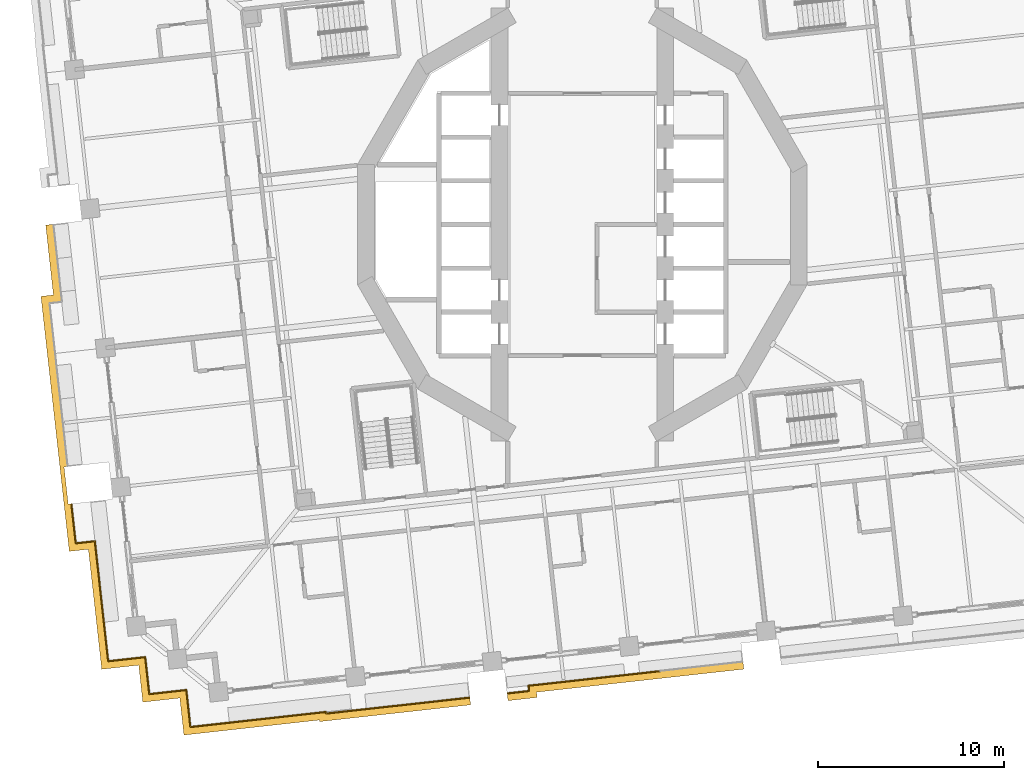
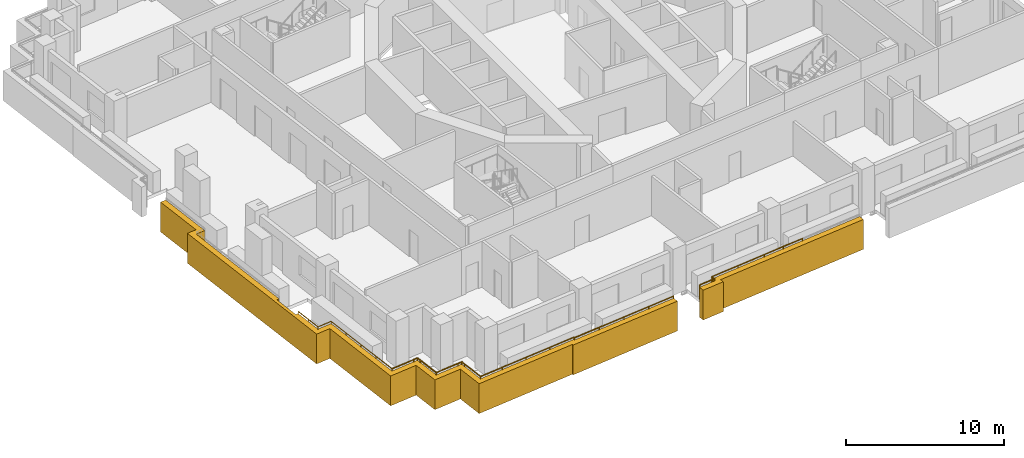
# One storey, part 12 of 19: 3 railings, 2 coverings.
"""IFC4 building model written with IfcOpenShell, lengths in metres."""

from ifc_helpers import new_model, si_unit, direction, frame, origin, origin_2d, place, context, subcontext, project, spatial, polyline, circle, outline, extrude, material, type_object, element, save


model = new_model("IFC4")

# Units and contexts
model_context = context("Model", 3, precision=1e-05, world=origin(), true_north=direction((0.0, 1.0)))
body_context = subcontext(model_context, "Body", "Model", "MODEL_VIEW")
ifc_project = project(units=[si_unit("LENGTHUNIT", "METRE"), si_unit("AREAUNIT", "SQUARE_METRE"), si_unit("VOLUMEUNIT", "CUBIC_METRE"), si_unit("PLANEANGLEUNIT", "RADIAN"), si_unit("MASSUNIT", "GRAM", prefix="KILO")], contexts=[model_context])

# Site, building, storey
site_placement = place(None, origin())
site = spatial("IfcSite", under=ifc_project, at=site_placement, CompositionType="ELEMENT")
building_placement = place(site_placement, origin())
building = spatial("IfcBuilding", under=site, at=building_placement, Name="Cantera Rosa Tower", CompositionType="ELEMENT")
storey_placement = place(building_placement, frame((0.0, 0.0, 65.300048828125)))
storey = spatial("IfcBuildingStorey", under=building, at=storey_placement, Name="L13", CompositionType="ELEMENT", Elevation=65.300048828125)

# Railings
ifc_material_1 = material(Name="Stainless steel and laminated glass", Category="steel")
railing_type = type_object("IfcRailingType", Name="GUARD 1100", PredefinedType="BALUSTRADE", material=ifc_material_1)
railing_1_placement = place(storey_placement, frame((-25.46826171875, -23.45263671875, 0.0)))
element("IfcRailing", 1, at=railing_1_placement, inside=storey, type_object=railing_type, Name="GUARD L13-1", PredefinedType="BALUSTRADE", context=body_context, shape_type="SweptSolid", body=[
    extrude(circle(Radius=0.030029296875, at=origin_2d()), frame((0.0, 0.0, 1.070068359375), z_axis=(-0.110289669906, 0.993899486222, 0.0), x_axis=(-0.993899486222, -0.110289669906, 0.0)), (0.0, 0.0, 1.0), 1.699951171875),
    extrude(circle(Radius=0.030029296875, at=origin_2d()), frame((-0.1875, 1.689697265625, 1.070068359375), z_axis=(-0.110308384039, 0.993897409399, 0.0), x_axis=(-0.993897409399, -0.110308384039, 0.0)), (0.0, 0.0, 1.0), 4.787353515625),
    extrude(circle(Radius=0.030029296875, at=origin_2d()), frame((-0.715576171875, 6.44775390625, 1.070068359375), z_axis=(-0.993889498172, -0.110379642247, 0.0), x_axis=(0.110379642247, -0.993889498172, 0.0)), (0.0, 0.0, 1.0), 1.032958984375),
    extrude(circle(Radius=0.030029296875, at=origin_2d()), frame((-1.7421875, 6.333740234375, 1.070068359375), z_axis=(-0.110304087838, 0.993897886207, 0.0), x_axis=(-0.993897886207, -0.110304087838, 0.0)), (0.0, 0.0, 1.0), 2.102783203125),
    extrude(circle(Radius=0.02490234375, at=origin_2d()), origin(), (0.0, 0.0, 1.0), 1.0400390625),
    extrude(circle(Radius=0.02490234375, at=origin_2d()), frame((-0.1875, 1.689697265625, 0.0)), (0.0, 0.0, 1.0), 1.0400390625),
    extrude(circle(Radius=0.02490234375, at=origin_2d()), frame((-0.363525390625, 3.275634765625, 0.0)), (0.0, 0.0, 1.0), 1.0400390625),
    extrude(circle(Radius=0.02490234375, at=origin_2d()), frame((-0.53955078125, 4.86181640625, 0.0)), (0.0, 0.0, 1.0), 1.0400390625),
    extrude(circle(Radius=0.02490234375, at=origin_2d()), frame((-0.715576171875, 6.44775390625, 0.0)), (0.0, 0.0, 1.0), 1.0400390625),
    extrude(circle(Radius=0.02490234375, at=origin_2d()), frame((-1.7421875, 6.333740234375, 0.0)), (0.0, 0.0, 1.0), 1.0400390625),
    extrude(circle(Radius=0.02490234375, at=origin_2d()), frame((-1.858154296875, 7.378662109375, 0.0)), (0.0, 0.0, 1.0), 1.0400390625),
    extrude(circle(Radius=0.02490234375, at=origin_2d()), frame((-1.97412109375, 8.423583984375, 0.0)), (0.0, 0.0, 1.0), 1.0400390625),
])
railing_2_placement = place(storey_placement, frame((-6.06396484375, -25.4091796875, 0.0)))
element("IfcRailing", 2, at=railing_2_placement, inside=storey, type_object=railing_type, Name="GUARD L13-2", PredefinedType="BALUSTRADE", context=body_context, shape_type="SweptSolid", body=[
    extrude(circle(Radius=0.030029296875, at=origin_2d()), frame((0.0, 0.0, 1.070068359375), z_axis=(-0.993897547531, -0.110307139445, 0.0), x_axis=(0.110307139445, -0.993897547531, 0.0)), (0.0, 0.0, 1.0), 7.75537109375),
    extrude(circle(Radius=0.030029296875, at=origin_2d()), frame((-7.7080078125, -0.85546875, 1.070068359375), z_axis=(-0.108859286546, 0.994057169248, 0.0), x_axis=(-0.994057169248, -0.108859286546, 0.0)), (0.0, 0.0, 1.0), 0.085205078125),
    extrude(circle(Radius=0.030029296875, at=origin_2d()), frame((-7.71728515625, -0.770751953125, 1.070068359375), z_axis=(-0.993896984026, -0.110312216663, 0.0), x_axis=(0.110312216663, -0.993896984026, 0.0)), (0.0, 0.0, 1.0), 5.61474609375),
    extrude(circle(Radius=0.030029296875, at=origin_2d()), frame((-13.2978515625, -1.39013671875, 1.070068359375), z_axis=(-0.993883734674, -0.110431526075, 0.0), x_axis=(0.110431526075, -0.993883734674, 0.0)), (0.0, 0.0, 1.0), 1.7001953125),
    extrude(circle(Radius=0.030029296875, at=origin_2d()), frame((-14.987548828125, -1.577880859375, 1.070068359375), z_axis=(-0.110289669906, 0.993899486222, 0.0), x_axis=(-0.993899486222, -0.110289669906, 0.0)), (0.0, 0.0, 1.0), 1.699951171875),
    extrude(circle(Radius=0.030029296875, at=origin_2d()), frame((-15.175048828125, 0.11181640625, 1.070068359375), z_axis=(-0.110699535641, 0.99385391925, 0.0), x_axis=(-0.99385391925, -0.110699535641, 0.0)), (0.0, 0.0, 1.0), 0.300048828125),
    extrude(circle(Radius=0.030029296875, at=origin_2d()), frame((-15.208251953125, 0.409912109375, 1.070068359375), z_axis=(-0.993943154022, -0.10989543472, 0.0), x_axis=(0.10989543472, -0.993943154022, 0.0)), (0.0, 0.0, 1.0), 0.2998046875),
    extrude(circle(Radius=0.030029296875, at=origin_2d()), frame((-15.50634765625, 0.376953125, 1.070068359375), z_axis=(-0.993899486222, -0.110289669906, 0.0), x_axis=(0.110289669906, -0.993899486222, 0.0)), (0.0, 0.0, 1.0), 1.699951171875),
    extrude(circle(Radius=0.030029296875, at=origin_2d()), frame((-17.196044921875, 0.189453125, 1.070068359375), z_axis=(-0.110305413813, 0.993897739047, 0.0), x_axis=(-0.993897739047, -0.110305413813, 0.0)), (0.0, 0.0, 1.0), 1.69970703125),
    extrude(circle(Radius=0.030029296875, at=origin_2d()), frame((-17.383544921875, 1.87890625, 1.070068359375), z_axis=(-0.1098065887, 0.993952973273, 0.0), x_axis=(-0.993952973273, -0.1098065887, 0.0)), (0.0, 0.0, 1.0), 0.300048828125),
    extrude(circle(Radius=0.030029296875, at=origin_2d()), frame((-17.41650390625, 2.17724609375, 1.070068359375), z_axis=(-0.993863881828, -0.110610055588, 0.0), x_axis=(0.110610055588, -0.993863881828, 0.0)), (0.0, 0.0, 1.0), 0.30029296875),
    extrude(circle(Radius=0.030029296875, at=origin_2d()), frame((-17.71484375, 2.14404296875, 1.070068359375), z_axis=(-0.993897739047, -0.110305413813, 0.0), x_axis=(0.110305413813, -0.993897739047, 0.0)), (0.0, 0.0, 1.0), 1.69970703125),
    extrude(circle(Radius=0.02490234375, at=origin_2d()), origin(), (0.0, 0.0, 1.0), 1.0400390625),
    extrude(circle(Radius=0.02490234375, at=origin_2d()), frame((-1.927001953125, -0.2138671875, 0.0)), (0.0, 0.0, 1.0), 1.0400390625),
    extrude(circle(Radius=0.02490234375, at=origin_2d()), frame((-3.85400390625, -0.427734375, 0.0)), (0.0, 0.0, 1.0), 1.0400390625),
    extrude(circle(Radius=0.02490234375, at=origin_2d()), frame((-5.781005859375, -0.6416015625, 0.0)), (0.0, 0.0, 1.0), 1.0400390625),
    extrude(circle(Radius=0.02490234375, at=origin_2d()), frame((-7.7080078125, -0.85546875, 0.0)), (0.0, 0.0, 1.0), 1.0400390625),
    extrude(circle(Radius=0.02490234375, at=origin_2d()), frame((-7.71728515625, -0.770751953125, 0.0)), (0.0, 0.0, 1.0), 1.0400390625),
    extrude(circle(Radius=0.02490234375, at=origin_2d()), frame((-9.577392578125, -0.977294921875, 0.0)), (0.0, 0.0, 1.0), 1.0400390625),
    extrude(circle(Radius=0.02490234375, at=origin_2d()), frame((-11.437744140625, -1.18359375, 0.0)), (0.0, 0.0, 1.0), 1.0400390625),
    extrude(circle(Radius=0.02490234375, at=origin_2d()), frame((-13.2978515625, -1.39013671875, 0.0)), (0.0, 0.0, 1.0), 1.0400390625),
    extrude(circle(Radius=0.02490234375, at=origin_2d()), frame((-14.987548828125, -1.577880859375, 0.0)), (0.0, 0.0, 1.0), 1.0400390625),
    extrude(circle(Radius=0.02490234375, at=origin_2d()), frame((-15.175048828125, 0.11181640625, 0.0)), (0.0, 0.0, 1.0), 1.0400390625),
    extrude(circle(Radius=0.02490234375, at=origin_2d()), frame((-15.208251953125, 0.409912109375, 0.0)), (0.0, 0.0, 1.0), 1.0400390625),
    extrude(circle(Radius=0.02490234375, at=origin_2d()), frame((-15.50634765625, 0.376953125, 0.0)), (0.0, 0.0, 1.0), 1.0400390625),
    extrude(circle(Radius=0.02490234375, at=origin_2d()), frame((-17.196044921875, 0.189453125, 0.0)), (0.0, 0.0, 1.0), 1.0400390625),
    extrude(circle(Radius=0.02490234375, at=origin_2d()), frame((-17.383544921875, 1.87890625, 0.0)), (0.0, 0.0, 1.0), 1.0400390625),
    extrude(circle(Radius=0.02490234375, at=origin_2d()), frame((-17.41650390625, 2.17724609375, 0.0)), (0.0, 0.0, 1.0), 1.0400390625),
    extrude(circle(Radius=0.02490234375, at=origin_2d()), frame((-17.71484375, 2.14404296875, 0.0)), (0.0, 0.0, 1.0), 1.0400390625),
    extrude(circle(Radius=0.02490234375, at=origin_2d()), frame((-19.404296875, 1.95654296875, 0.0)), (0.0, 0.0, 1.0), 1.0400390625),
])
railing_3_placement = place(storey_placement, frame((4.17138671875, -23.986328125, 0.0)))
element("IfcRailing", 3, at=railing_3_placement, inside=storey, type_object=railing_type, Name="GUARD L13-5", PredefinedType="BALUSTRADE", context=body_context, shape_type="SweptSolid", body=[
    extrude(circle(Radius=0.030029296875, at=origin_2d()), frame((0.0, 0.0, 1.070068359375), z_axis=(-0.993901585709, -0.110270748271, 0.0), x_axis=(0.110270748271, -0.993901585709, 0.0)), (0.0, 0.0, 1.0), 3.0),
    extrude(circle(Radius=0.030029296875, at=origin_2d()), frame((-2.981689453125, -0.330810546875, 1.070068359375), z_axis=(-0.993898197765, -0.110301280499, 0.0), x_axis=(0.110301280499, -0.993898197765, 0.0)), (0.0, 0.0, 1.0), 4.11474609375),
    extrude(circle(Radius=0.030029296875, at=origin_2d()), frame((-7.0712890625, -0.78466796875, 1.070068359375), z_axis=(0.110431526075, -0.993883734674, 0.0), x_axis=(0.993883734674, 0.110431526075, 0.0)), (0.0, 0.0, 1.0), 0.28515625),
    extrude(circle(Radius=0.030029296875, at=origin_2d()), frame((-7.039794921875, -1.068115234375, 1.070068359375), z_axis=(-0.993896614033, -0.110315550186, 0.0), x_axis=(0.110315550186, -0.993896614033, 0.0)), (0.0, 0.0, 1.0), 1.1552734375),
    extrude(circle(Radius=0.02490234375, at=origin_2d()), origin(), (0.0, 0.0, 1.0), 1.0400390625),
    extrude(circle(Radius=0.02490234375, at=origin_2d()), frame((-1.49072265625, -0.16552734375, 0.0)), (0.0, 0.0, 1.0), 1.0400390625),
    extrude(circle(Radius=0.02490234375, at=origin_2d()), frame((-2.981689453125, -0.330810546875, 0.0)), (0.0, 0.0, 1.0), 1.0400390625),
    extrude(circle(Radius=0.02490234375, at=origin_2d()), frame((-5.0263671875, -0.5576171875, 0.0)), (0.0, 0.0, 1.0), 1.0400390625),
    extrude(circle(Radius=0.02490234375, at=origin_2d()), frame((-7.0712890625, -0.78466796875, 0.0)), (0.0, 0.0, 1.0), 1.0400390625),
    extrude(circle(Radius=0.02490234375, at=origin_2d()), frame((-7.039794921875, -1.068115234375, 0.0)), (0.0, 0.0, 1.0), 1.0400390625),
    extrude(circle(Radius=0.02490234375, at=origin_2d()), frame((-8.18798828125, -1.195556640625, 0.0)), (0.0, 0.0, 1.0), 1.0400390625),
])

# Coverings
ifc_material_2 = material(Name="Cantera stone", Category="masonry")
covering_type = type_object("IfcCoveringType", Name="TRAY FASCIA 400", PredefinedType="CLADDING", material=ifc_material_2)
covering_1_placement = place(storey_placement, frame((0.0, 0.0, -1.400146484375)))
element("IfcCovering", 4, at=covering_1_placement, inside=storey, type_object=covering_type, Name="TRAY FASCIA L13-02", PredefinedType="CLADDING", context=body_context, shape_type="SweptSolid", body=[
    extrude(outline(polyline([(-14.125244140625, -26.706298828125), (-14.134765625, -26.621826171875), (-19.317626953125, -27.197021484375), (-21.405029296875, -27.4287109375), (-21.62548828125, -25.44091796875), (-23.61328125, -25.661376953125), (-23.833984375, -23.673583984375), (-25.82177734375, -23.894287109375), (-26.053466796875, -21.80712890625), (-26.537353515625, -17.446533203125), (-27.563720703125, -17.560546875), (-29.08447265625, -3.859130859375), (-28.415283203125, -3.784912109375), (-28.83203125, -0.03076171875), (-28.4345703125, 0.013427734375), (-27.9736328125, -4.138427734375), (-28.642822265625, -4.212646484375), (-27.66748046875, -13.00146484375), (-27.83349609375, -13.019775390625), (-27.83447265625, -13.02001953125), (-27.83544921875, -13.020263671875), (-27.83642578125, -13.0205078125), (-27.83740234375, -13.02099609375), (-27.838134765625, -13.021484375), (-27.8388671875, -13.022216796875), (-27.839599609375, -13.022705078125), (-27.84033203125, -13.0234375), (-27.8408203125, -13.0244140625), (-27.84130859375, -13.025146484375), (-27.841796875, -13.026123046875), (-27.842041015625, -13.027099609375), (-27.84228515625, -13.028076171875), (-27.842529296875, -13.029052734375), (-27.842529296875, -13.030029296875), (-27.842529296875, -13.031005859375), (-27.621826171875, -15.018798828125), (-27.62158203125, -15.019775390625), (-27.621337890625, -15.0205078125), (-27.62109375, -15.021484375), (-27.62060546875, -15.0224609375), (-27.6201171875, -15.023193359375), (-27.61962890625, -15.02392578125), (-27.618896484375, -15.024658203125), (-27.6181640625, -15.025390625), (-27.617431640625, -15.02587890625), (-27.616455078125, -15.0263671875), (-27.615478515625, -15.02685546875), (-27.61474609375, -15.027099609375), (-27.61376953125, -15.02734375), (-27.61279296875, -15.027587890625), (-27.61181640625, -15.027587890625), (-27.61083984375, -15.027587890625), (-27.444580078125, -15.009033203125), (-27.21044921875, -17.118896484375), (-26.183837890625, -17.0048828125), (-25.65576171875, -21.762939453125), (-25.46826171875, -23.45263671875), (-23.77880859375, -23.26513671875), (-23.48046875, -23.23193359375), (-23.447509765625, -23.5302734375), (-23.260009765625, -25.2197265625), (-21.5703125, -25.0322265625), (-21.272216796875, -24.999267578125), (-21.239013671875, -25.29736328125), (-21.051513671875, -26.987060546875), (-19.36181640625, -26.79931640625), (-13.78125, -26.179931640625), (-13.77197265625, -26.2646484375), (-6.044189453125, -25.406982421875), (-6.0, -25.804443359375), (-14.125244140625, -26.706298828125)])), origin(), (0.0, 0.0, 1.0), 2.300048828125),
])
covering_2_placement = place(storey_placement, frame((0.0, 0.0, -1.400146484375)))
element("IfcCovering", 5, at=covering_2_placement, inside=storey, type_object=covering_type, Name="TRAY FASCIA L13-04", PredefinedType="CLADDING", context=body_context, shape_type="SweptSolid", body=[
    extrude(outline(polyline([(8.588623046875, -23.8984375), (4.215576171875, -24.3837890625), (1.23388671875, -24.71484375), (-2.458251953125, -25.12451171875), (-2.4267578125, -25.407958984375), (-3.992431640625, -25.581787109375), (-4.03662109375, -25.18408203125), (-2.868408203125, -25.054443359375), (-2.89990234375, -24.77099609375), (1.189697265625, -24.317138671875), (4.17138671875, -23.986328125), (8.544677734375, -23.500732421875), (8.634033203125, -23.490966796875), (8.67822265625, -23.888427734375), (8.588623046875, -23.8984375)])), origin(), (0.0, 0.0, 1.0), 2.300048828125),
])

save(model, "model.ifc")
